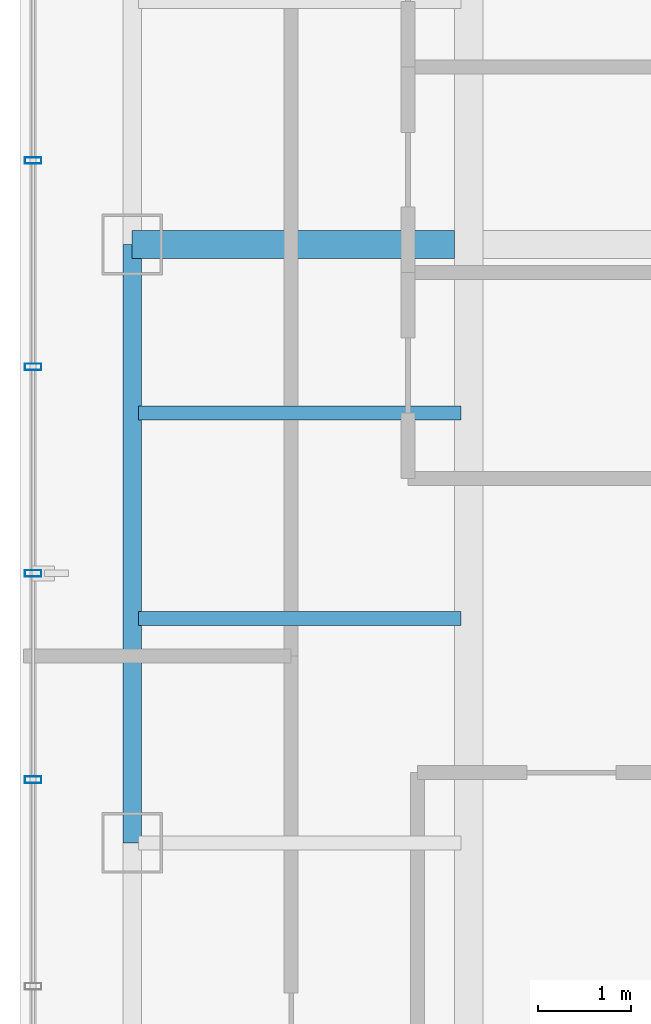
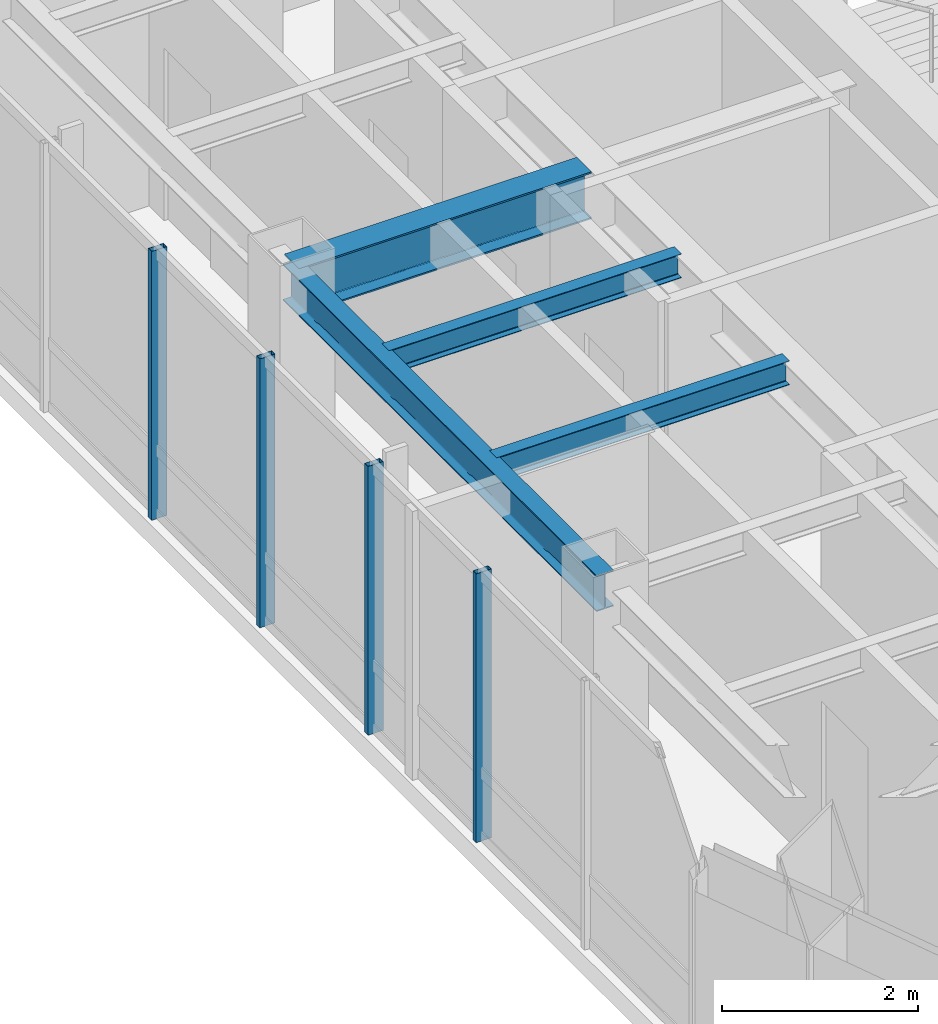
# One storey, part 8 of 22: 4 beams, 4 members, 1 element without a shape of its own.
"""IFC4 building model written with IfcOpenShell, lengths in metres."""

from ifc_helpers import new_model, si_unit, direction, frame, origin, origin_2d, place, context, subcontext, project, spatial, hollow_rectangle, i_section, extrude, material, layer, layer_set, material_profile, profile_set, type_object, element, aggregate, save


model = new_model("IFC4")

# Units and contexts
model_context = context("Model", 3, precision=1e-05, world=origin(), true_north=direction((0.0, 1.0)))
body_context = subcontext(model_context, "Body", "Model", "MODEL_VIEW")
ifc_project = project(units=[si_unit("LENGTHUNIT", "METRE"), si_unit("AREAUNIT", "SQUARE_METRE"), si_unit("VOLUMEUNIT", "CUBIC_METRE"), si_unit("PLANEANGLEUNIT", "RADIAN"), si_unit("MASSUNIT", "GRAM", prefix="KILO")], contexts=[model_context])

# Site, building, storey
site_placement = place(None, origin())
site = spatial("IfcSite", under=ifc_project, at=site_placement, CompositionType="ELEMENT")
building_placement = place(site_placement, origin())
building = spatial("IfcBuilding", under=site, at=building_placement, Name="Hatsunagi Terrace Concourse", CompositionType="ELEMENT")
storey_placement = place(building_placement, frame((0.0, 0.0, 243.14990234375)))
storey = spatial("IfcBuildingStorey", under=building, at=storey_placement, Name="L64", CompositionType="ELEMENT", Elevation=243.14990234375)

# Curtain wall, members
ifc_material_1 = material(Name="Anodised Aluminium Alloy 6063-T5", Category="aluminium")
ifc_layer = layer(ifc_material_1, 0.199951171875)
ifc_layer_set = layer_set([ifc_layer], Name="OfficeZone2_CW04")
curtain_wall_type = type_object("IfcCurtainWallType", Name="OfficeZone2_CW04", PredefinedType="NOTDEFINED", material=ifc_layer_set)
curtain_wall_placement = place(storey_placement, origin())
curtain_wall = element("IfcCurtainWall", 1, at=curtain_wall_placement, inside=storey, type_object=curtain_wall_type, Name="Unitised Curtain Wall CW-04 CW-L64-08", PredefinedType="NOTDEFINED")
ifc_material_2 = material(Name="Anodised Aluminium Alloy 6063-T5", Category="aluminium")
ifc_material_profile_1 = material_profile(ifc_material_2, hollow_rectangle(XDim=0.070068359375, YDim=0.179931640625, WallThickness=0.00390625, at=origin_2d()), Name="ALU-MUL-180x70x4")
ifc_profile_set_1 = profile_set([ifc_material_profile_1], Name="Anodised Aluminium Alloy 6063-T5")
member_type = type_object("IfcMemberType", Name="CurtainWallMullion_180x70", PredefinedType="MULLION", material=ifc_profile_set_1)
member_1_placement = place(storey_placement, frame((18.139892578125, 30.27490234375, 0.0), z_axis=(0.0, 0.0, 1.0), x_axis=(0.0, 1.0, 0.0)))
member_1 = element("IfcMember", 2, at=member_1_placement, type_object=member_type, Name="Curtain Wall Mullion MUL-02", PredefinedType="MULLION", context=body_context, shape_type="SweptSolid", body=[
    extrude(hollow_rectangle(XDim=0.070068359375, YDim=0.179931640625, WallThickness=0.00390625, at=origin_2d()), origin(), (0.0, 0.0, 1.0), 3.35009765625),
])
member_2_placement = place(storey_placement, frame((18.139892578125, 32.48291015625, 0.0), z_axis=(0.0, 0.0, 1.0), x_axis=(0.0, 1.0, 0.0)))
member_2 = element("IfcMember", 3, at=member_2_placement, type_object=member_type, Name="Curtain Wall Mullion MUL-02", PredefinedType="MULLION", context=body_context, shape_type="SweptSolid", body=[
    extrude(hollow_rectangle(XDim=0.070068359375, YDim=0.179931640625, WallThickness=0.00390625, at=origin_2d()), origin(), (0.0, 0.0, 1.0), 3.35009765625),
])
member_3_placement = place(storey_placement, frame((18.139892578125, 34.69189453125, 0.0), z_axis=(0.0, 0.0, 1.0), x_axis=(0.0, 1.0, 0.0)))
member_3 = element("IfcMember", 4, at=member_3_placement, type_object=member_type, Name="Curtain Wall Mullion MUL-02", PredefinedType="MULLION", context=body_context, shape_type="SweptSolid", body=[
    extrude(hollow_rectangle(XDim=0.070068359375, YDim=0.179931640625, WallThickness=0.00390625, at=origin_2d()), origin(), (0.0, 0.0, 1.0), 3.35009765625),
])
member_4_placement = place(storey_placement, frame((18.139892578125, 36.89990234375, 0.0), z_axis=(0.0, 0.0, 1.0), x_axis=(0.0, 1.0, 0.0)))
member_4 = element("IfcMember", 5, at=member_4_placement, type_object=member_type, Name="Curtain Wall Mullion MUL-02", PredefinedType="MULLION", context=body_context, shape_type="SweptSolid", body=[
    extrude(hollow_rectangle(XDim=0.070068359375, YDim=0.179931640625, WallThickness=0.00390625, at=origin_2d()), origin(), (0.0, 0.0, 1.0), 3.35009765625),
])
aggregate(curtain_wall, [member_1, member_2, member_3, member_4])

# Beams
ifc_material_3 = material(Name="Steel SN490B", Category="steel")
ifc_material_profile_2 = material_profile(ifc_material_3, i_section(OverallWidth=0.300048828125, OverallDepth=0.587890625, WebThickness=0.011962890625, FlangeThickness=0.02001953125, FilletRadius=0.01806640625, at=origin_2d()), Name="H-588x300x12x20")
ifc_profile_set_2 = profile_set([ifc_material_profile_2], Name="Steel SN490B")
beam_type_1 = type_object("IfcBeamType", Name="OfficeHighGirder_H_588x300", PredefinedType="BEAM", material=ifc_profile_set_2)
beam_1_placement = place(storey_placement, frame((19.199951171875, 36.0, 3.05615234375), z_axis=(1.0, 0.0, 0.0), x_axis=(0.0, 1.0, 0.0)))
element("IfcBeam", 6, at=beam_1_placement, inside=storey, type_object=beam_type_1, Name="Beam G-06 BM-L64-EW-3", PredefinedType="BEAM", context=body_context, shape_type="SweptSolid", body=[
    extrude(i_section(OverallWidth=0.300048828125, OverallDepth=0.587890625, WebThickness=0.011962890625, FlangeThickness=0.02001953125, FilletRadius=0.01806640625, at=origin_2d()), origin(), (0.0, 0.0, 1.0), 3.449951171875),
])
ifc_material_4 = material(Name="Steel SN490B", Category="steel")
ifc_material_profile_3 = material_profile(ifc_material_4, i_section(OverallWidth=0.14990234375, OverallDepth=0.300048828125, WebThickness=0.006591796875, FlangeThickness=0.009033203125, FilletRadius=0.010986328125, at=origin_2d()), Name="H-300x150x6.5x9")
ifc_profile_set_3 = profile_set([ifc_material_profile_3], Name="Steel SN490B")
beam_type_2 = type_object("IfcBeamType", Name="OfficeJoist_H_300x150", PredefinedType="JOIST", material=ifc_profile_set_3)
for number, where, z_axis, x_axis, name in (
    (7, (19.264892578125, 32.0, 3.2001953125), (1.0, 0.0, 0.0), (0.0, 1.0, 0.0), "Beam J-03 J-L64-W-19-320"),
    (8, (19.264892578125, 34.199951171875, 3.2001953125), (1.0, 0.0, 0.0), (0.0, 1.0, 0.0), "Beam J-03 J-L64-W-19-342"),
):
    element("IfcBeam", number, at=place(storey_placement, frame(where, z_axis=z_axis, x_axis=x_axis)), inside=storey, type_object=beam_type_2, Name=name, PredefinedType="JOIST", context=body_context, shape_type="SweptSolid", body=[
        extrude(i_section(OverallWidth=0.14990234375, OverallDepth=0.300048828125, WebThickness=0.006591796875, FlangeThickness=0.009033203125, FilletRadius=0.010986328125, at=origin_2d()), origin(), (0.0, 0.0, 1.0), 3.4501953125),
    ])
ifc_material_5 = material(Name="Steel SN490B", Category="steel")
ifc_material_profile_4 = material_profile(ifc_material_5, i_section(OverallWidth=0.199951171875, OverallDepth=0.449951171875, WebThickness=0.009033203125, FlangeThickness=0.013916015625, FilletRadius=0.01611328125, at=origin_2d()), Name="H-450x200x9x14")
ifc_profile_set_4 = profile_set([ifc_material_profile_4], Name="Steel SN490B")
beam_type_3 = type_object("IfcBeamType", Name="PerimeterSpandrel_H_450x200", PredefinedType="SPANDREL", material=ifc_profile_set_4)
beam_2_placement = place(storey_placement, frame((19.199951171875, 29.60009765625, 3.125), z_axis=(0.0, 1.0, 0.0), x_axis=(-1.0, 0.0, 0.0)))
element("IfcBeam", 9, at=beam_2_placement, inside=storey, type_object=beam_type_3, Name="Beam SP-02 BM-L64-NS-19-29", PredefinedType="SPANDREL", context=body_context, shape_type="SweptSolid", body=[
    extrude(i_section(OverallWidth=0.199951171875, OverallDepth=0.449951171875, WebThickness=0.009033203125, FlangeThickness=0.013916015625, FilletRadius=0.01611328125, at=origin_2d()), origin(), (0.0, 0.0, 1.0), 6.39990234375),
])

save(model, "model.ifc")
